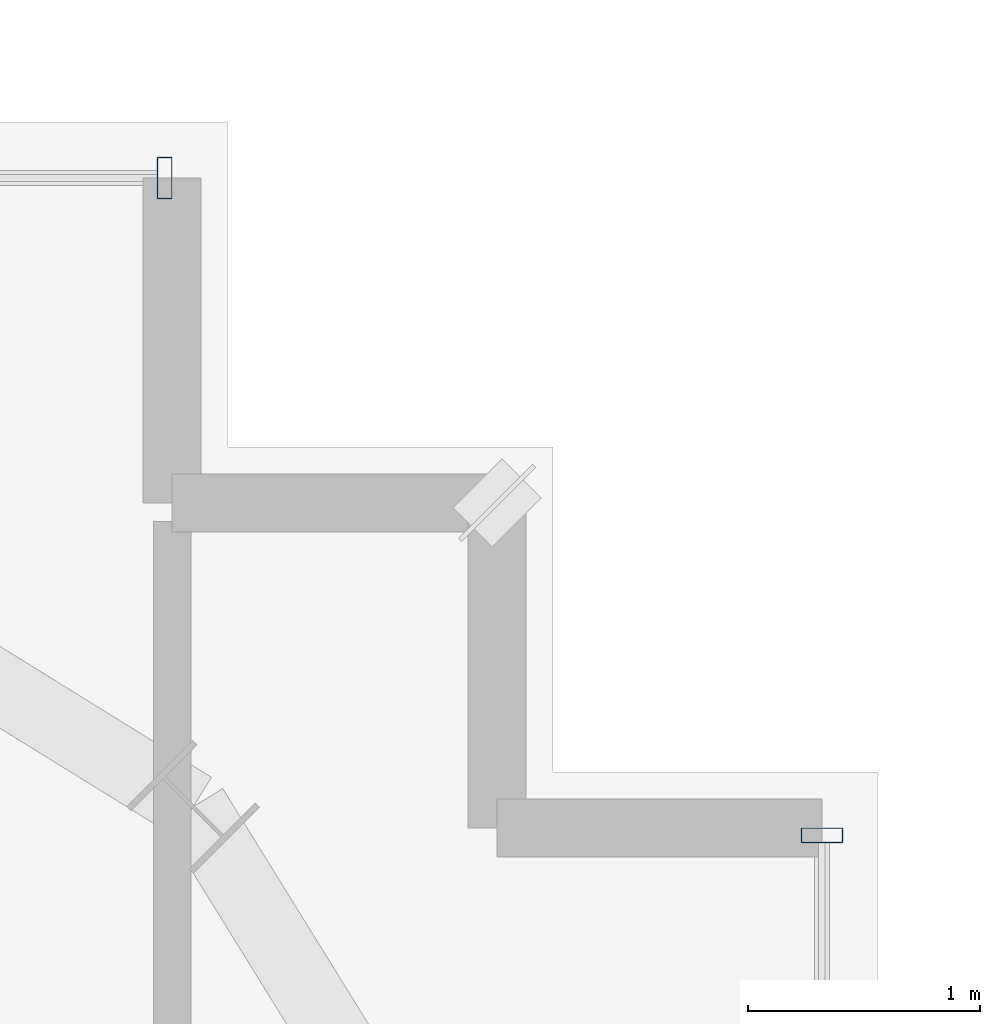
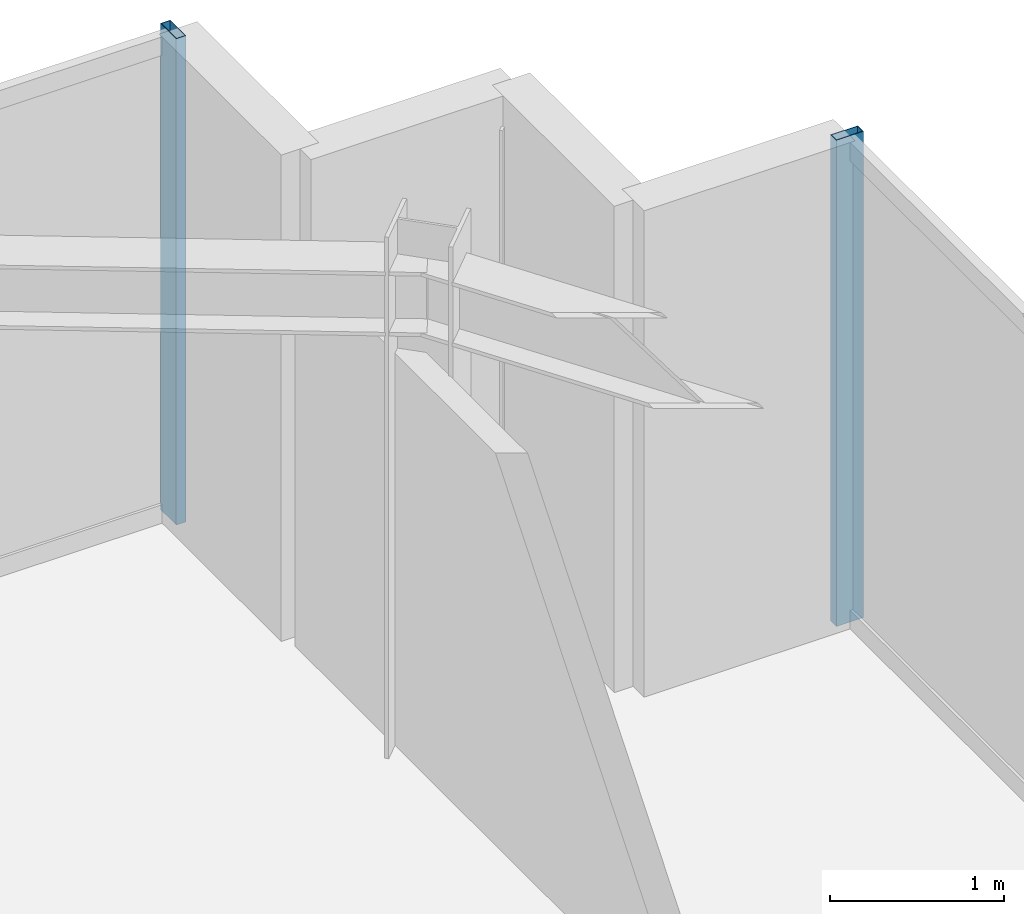
# One storey, part 28 of 42: 2 members, 2 elements without a shape of their own.
"""IFC4 building model written with IfcOpenShell, lengths in metres."""

from ifc_helpers import new_model, si_unit, direction, frame, origin, origin_2d, place, context, subcontext, project, spatial, hollow_rectangle, extrude, source, transform, mapped, material, material_profile, profile_set, type_object, element, aggregate, save


model = new_model("IFC4")

# Units and contexts
model_context = context("Model", 3, precision=1e-05, world=origin(), true_north=direction((0.0, 1.0)))
body_context = subcontext(model_context, "Body", "Model", "MODEL_VIEW")
ifc_project = project(units=[si_unit("LENGTHUNIT", "METRE"), si_unit("AREAUNIT", "SQUARE_METRE"), si_unit("VOLUMEUNIT", "CUBIC_METRE"), si_unit("PLANEANGLEUNIT", "RADIAN"), si_unit("MASSUNIT", "GRAM", prefix="KILO")], contexts=[model_context])

# Site, building, storey
site_placement = place(None, origin())
site = spatial("IfcSite", under=ifc_project, at=site_placement, CompositionType="ELEMENT")
building_placement = place(site_placement, origin())
building = spatial("IfcBuilding", under=site, at=building_placement, Name="Nahalor Promenade Grand Hotel", CompositionType="ELEMENT")
storey_placement = place(building_placement, frame((0.0, 0.0, 249.300048828125)))
storey = spatial("IfcBuildingStorey", under=building, at=storey_placement, Name="L64", CompositionType="ELEMENT", Elevation=249.300048828125)

# Curtain wall, member
ifc_material = material(Name="Anodised Bronze Aluminium EN AW-6063 T6", Category="aluminium")
curtain_wall_type = type_object("IfcCurtainWallType", Name="CW2 Typical Hotel Flush Bronze Unitised Curtain Wall", PredefinedType="USERDEFINED", material=ifc_material)
curtain_wall_1_placement = place(storey_placement, origin())
curtain_wall_1 = element("IfcCurtainWall", 1, at=curtain_wall_1_placement, inside=storey, type_object=curtain_wall_type, Name="L64 Curtain Wall CW-L64-N-3", ObjectType="UNITISED_CURTAIN_WALL", PredefinedType="USERDEFINED")
ifc_material_profile = material_profile(ifc_material, hollow_rectangle(XDim=0.065, YDim=0.18, WallThickness=0.004, at=origin_2d()), Name="CWM 65x180x4")
ifc_profile_set = profile_set([ifc_material_profile], Name="Anodised Bronze Aluminium EN AW-6063 T6")
member_type = type_object("IfcMemberType", Name="CWM2 Typical Bronze Mullion 65x180", PredefinedType="MULLION", material=ifc_profile_set)
shared_shape = source(origin(), body_context, "Body", "SweptSolid", [
    extrude(hollow_rectangle(XDim=0.065, YDim=0.18, WallThickness=0.004, at=origin_2d()), origin(), (0.0, 0.0, 1.0), 3.409912109375),
])
member_1_placement = place(storey_placement, frame((21.12744140625, 23.9599609375, 0.0), z_axis=(0.0, 0.0, 1.0), x_axis=(1.0, 0.0, 0.0)))
member_1 = element("IfcMember", 2, at=member_1_placement, type_object=member_type, Name="CW-L64-N-3 Mullion 2", PredefinedType="MULLION", context=body_context, shape_type="MappedRepresentation", body=[
    mapped(shared_shape, transform((0.0, 0.0, 0.0), scale=1.0)),
])
aggregate(curtain_wall_1, [member_1])

curtain_wall_2_placement = place(storey_placement, origin())
curtain_wall_2 = element("IfcCurtainWall", 3, at=curtain_wall_2_placement, inside=storey, type_object=curtain_wall_type, Name="L64 Curtain Wall CW-L64-E-3", ObjectType="UNITISED_CURTAIN_WALL", PredefinedType="USERDEFINED")
member_2_placement = place(storey_placement, frame((23.9599609375, 21.12744140625, 0.0), z_axis=(0.0, 0.0, 1.0), x_axis=(0.0, 1.0, 0.0)))
member_2 = element("IfcMember", 4, at=member_2_placement, type_object=member_type, Name="CW-L64-E-3 Mullion 3", PredefinedType="MULLION", context=body_context, shape_type="MappedRepresentation", body=[
    mapped(shared_shape, transform((0.0, 0.0, 0.0), scale=1.0)),
])
aggregate(curtain_wall_2, [member_2])

save(model, "model.ifc")
